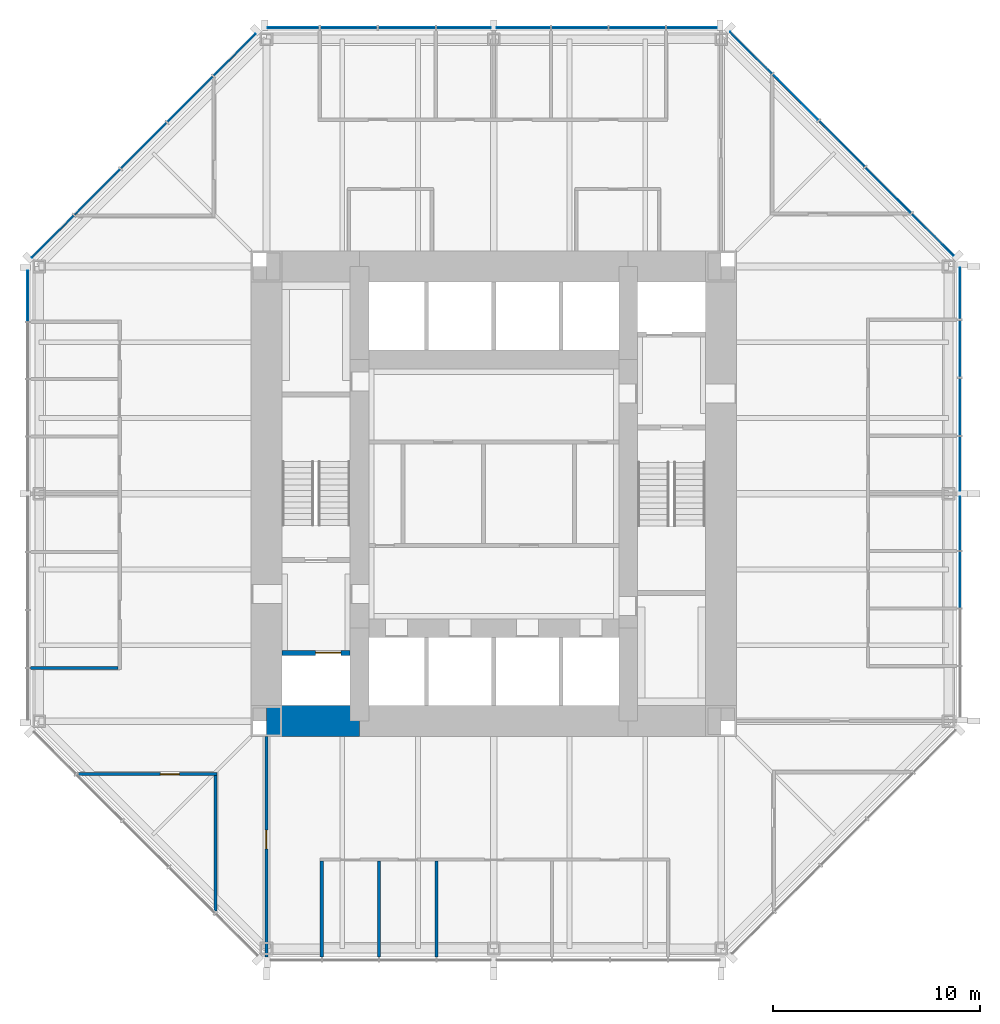
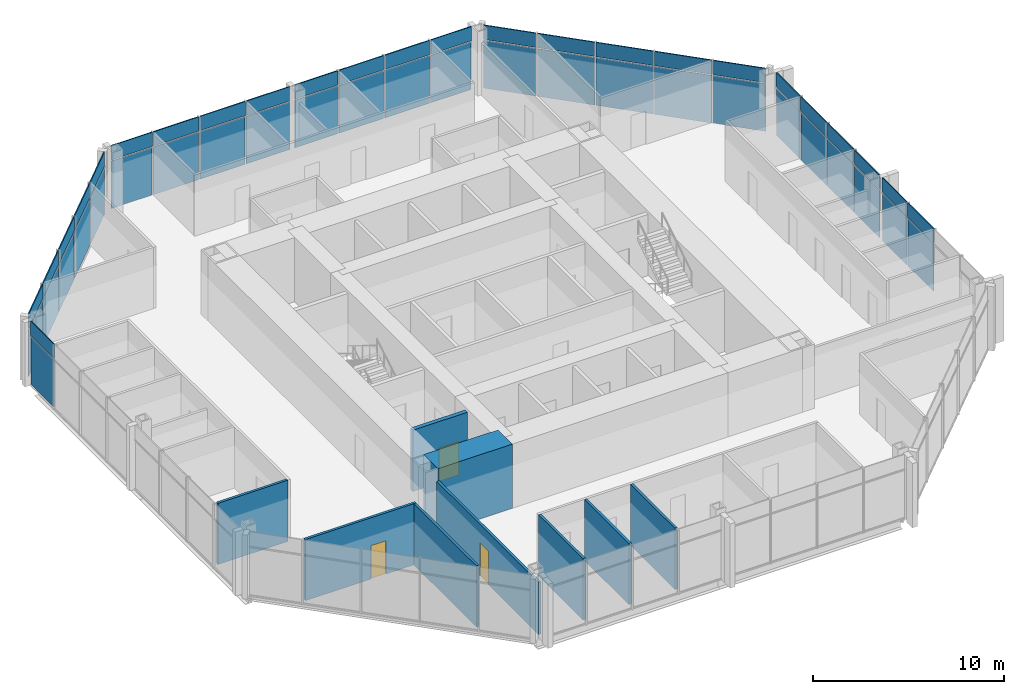
# One storey, part 8 of 12: 50 plates, 9 walls, 3 doors, 3 openings, 5 elements without a shape of their own.
"""IFC4 building model written with IfcOpenShell, lengths in metres."""

from ifc_helpers import new_model, si_unit, direction, frame, frame_2d, origin, origin_2d, place, context, subcontext, project, spatial, rectangle, extrude, material, layer, layer_set, type_object, element, fill, aggregate, save


model = new_model("IFC4")

# Units and contexts
model_context = context("Model", 3, precision=1e-05, world=origin(), true_north=direction((0.0, 1.0)))
body_context = subcontext(model_context, "Body", "Model", "MODEL_VIEW")
ifc_project = project(units=[si_unit("LENGTHUNIT", "METRE"), si_unit("AREAUNIT", "SQUARE_METRE"), si_unit("VOLUMEUNIT", "CUBIC_METRE"), si_unit("PLANEANGLEUNIT", "RADIAN"), si_unit("MASSUNIT", "GRAM", prefix="KILO")], contexts=[model_context])

# Site, building, storey
site_placement = place(None, origin())
site = spatial("IfcSite", under=ifc_project, at=site_placement, CompositionType="ELEMENT")
building_placement = place(site_placement, origin())
building = spatial("IfcBuilding", under=site, at=building_placement, Name="Trevanion Tower", CompositionType="ELEMENT")
storey_placement = place(building_placement, frame((0.0, 0.0, 166.39990234375)))
storey = spatial("IfcBuildingStorey", under=building, at=storey_placement, Name="L39", CompositionType="ELEMENT", Elevation=166.39990234375)

# Curtain wall, plates
ifc_material_1 = material(Name="Aluminium and glass", Category="aluminium")
curtain_wall_type = type_object("IfcCurtainWallType", Name="CW2 curtain wall", PredefinedType="USERDEFINED", material=ifc_material_1)
curtain_wall_1_placement = place(storey_placement, origin())
curtain_wall_1 = element("IfcCurtainWall", 1, at=curtain_wall_1_placement, inside=storey, type_object=curtain_wall_type, Name="CW2 L39 0", ObjectType="UNITISED CURTAIN WALL", PredefinedType="USERDEFINED")
ifc_material_2 = material(Name="Aluminium spandrel panel", Category="aluminium")
ifc_layer_1 = layer(ifc_material_2, 0.06005859375)
ifc_layer_set_1 = layer_set([ifc_layer_1], Name="CW2 spandrel panel")
plate_type_1 = type_object("IfcPlateType", Name="CW2 spandrel panel", PredefinedType="CURTAIN_PANEL", material=ifc_layer_set_1)
plate_1_placement = place(storey_placement, frame((22.550048828125, -4.16162109375, 2.99755859375), z_axis=(0.0, 0.0, 1.0), x_axis=(0.0, 1.0, 0.0)))
plate_1 = element("IfcPlate", 2, at=plate_1_placement, type_object=plate_type_1, Name="CW2 panel 3.2", PredefinedType="CURTAIN_PANEL", context=body_context, shape_type="SweptSolid", body=[
    extrude(rectangle(XDim=2.699462890625, YDim=0.06005859375, at=origin_2d()), origin(), (0.0, 0.0, 1.0), 0.91259765625),
])
plate_2_placement = place(storey_placement, frame((22.550048828125, -1.443603515625, 2.99755859375), z_axis=(0.0, 0.0, 1.0), x_axis=(0.0, 1.0, 0.0)))
plate_2 = element("IfcPlate", 3, at=plate_2_placement, type_object=plate_type_1, Name="CW2 panel 4.2", PredefinedType="CURTAIN_PANEL", context=body_context, shape_type="SweptSolid", body=[
    extrude(rectangle(XDim=2.5869140625, YDim=0.06005859375, at=origin_2d()), origin(), (0.0, 0.0, 1.0), 0.91259765625),
])
plate_3_placement = place(storey_placement, frame((22.550048828125, 1.459716796875, 2.99755859375), z_axis=(0.0, 0.0, 1.0), x_axis=(0.0, 1.0, 0.0)))
plate_3 = element("IfcPlate", 4, at=plate_3_placement, type_object=plate_type_1, Name="CW2 panel 5.2", PredefinedType="CURTAIN_PANEL", context=body_context, shape_type="SweptSolid", body=[
    extrude(rectangle(XDim=2.619384765625, YDim=0.06005859375, at=origin_2d()), origin(), (0.0, 0.0, 1.0), 0.91259765625),
])
plate_4_placement = place(storey_placement, frame((22.550048828125, 4.21044921875, 2.99755859375), z_axis=(0.0, 0.0, 1.0), x_axis=(0.0, 1.0, 0.0)))
plate_4 = element("IfcPlate", 5, at=plate_4_placement, type_object=plate_type_1, Name="CW2 panel 6.2", PredefinedType="CURTAIN_PANEL", context=body_context, shape_type="SweptSolid", body=[
    extrude(rectangle(XDim=2.73193359375, YDim=0.06005859375, at=origin_2d()), origin(), (0.0, 0.0, 1.0), 0.91259765625),
])
plate_5_placement = place(storey_placement, frame((22.550048828125, 7.017333984375, 2.99755859375), z_axis=(0.0, 0.0, 1.0), x_axis=(0.0, 1.0, 0.0)))
plate_5 = element("IfcPlate", 6, at=plate_5_placement, type_object=plate_type_1, Name="CW2 panel 7.2", PredefinedType="CURTAIN_PANEL", context=body_context, shape_type="SweptSolid", body=[
    extrude(rectangle(XDim=2.73193359375, YDim=0.06005859375, at=origin_2d()), origin(), (0.0, 0.0, 1.0), 0.91259765625),
])
plate_6_placement = place(storey_placement, frame((22.550048828125, 9.693115234375, 2.99755859375), z_axis=(0.0, 0.0, 1.0), x_axis=(0.0, 1.0, 0.0)))
plate_6 = element("IfcPlate", 7, at=plate_6_placement, type_object=plate_type_1, Name="CW2 panel 8.2", PredefinedType="CURTAIN_PANEL", context=body_context, shape_type="SweptSolid", body=[
    extrude(rectangle(XDim=2.469482421875, YDim=0.06005859375, at=origin_2d()), origin(), (0.0, 0.0, 1.0), 0.91259765625),
])

curtain_wall_2_placement = place(storey_placement, origin())
curtain_wall_2 = element("IfcCurtainWall", 8, at=curtain_wall_2_placement, inside=storey, type_object=curtain_wall_type, Name="CW2 L39 1", ObjectType="UNITISED CURTAIN WALL", PredefinedType="USERDEFINED")
plate_7_placement = place(storey_placement, frame((21.2421875, 12.53564453125, 2.99755859375), z_axis=(0.0, 0.0, 1.0), x_axis=(-0.707106781187, 0.707106781187, 0.0)))
plate_7 = element("IfcPlate", 9, at=plate_7_placement, type_object=plate_type_1, Name="CW2 panel 1.2", PredefinedType="CURTAIN_PANEL", context=body_context, shape_type="SweptSolid", body=[
    extrude(rectangle(XDim=2.8388671875, YDim=0.06005859375, at=origin_2d()), origin(), (0.0, 0.0, 1.0), 0.91259765625),
])
plate_8_placement = place(storey_placement, frame((19.089111328125, 14.688720703125, 2.99755859375), z_axis=(0.0, 0.0, 1.0), x_axis=(-0.707106781187, 0.707106781187, 0.0)))
plate_8 = element("IfcPlate", 10, at=plate_8_placement, type_object=plate_type_1, Name="CW2 panel 2.2", PredefinedType="CURTAIN_PANEL", context=body_context, shape_type="SweptSolid", body=[
    extrude(rectangle(XDim=3.101318359375, YDim=0.06005859375, at=origin_2d()), origin(), (0.0, 0.0, 1.0), 0.91259765625),
])
plate_9_placement = place(storey_placement, frame((16.843017578125, 16.934814453125, 2.99755859375), z_axis=(0.0, 0.0, 1.0), x_axis=(-0.707106781187, 0.707106781187, 0.0)))
plate_9 = element("IfcPlate", 11, at=plate_9_placement, type_object=plate_type_1, Name="CW2 panel 3.2", PredefinedType="CURTAIN_PANEL", context=body_context, shape_type="SweptSolid", body=[
    extrude(rectangle(XDim=3.101318359375, YDim=0.06005859375, at=origin_2d()), origin(), (0.0, 0.0, 1.0), 0.91259765625),
])
plate_10_placement = place(storey_placement, frame((14.596923828125, 19.180908203125, 2.99755859375), z_axis=(0.0, 0.0, 1.0), x_axis=(-0.707106781187, 0.707106781187, 0.0)))
plate_10 = element("IfcPlate", 12, at=plate_10_placement, type_object=plate_type_1, Name="CW2 panel 4.2", PredefinedType="CURTAIN_PANEL", context=body_context, shape_type="SweptSolid", body=[
    extrude(rectangle(XDim=3.101318359375, YDim=0.06005859375, at=origin_2d()), origin(), (0.0, 0.0, 1.0), 0.91259765625),
])
plate_11_placement = place(storey_placement, frame((12.443603515625, 21.334228515625, 2.99755859375), z_axis=(0.0, 0.0, 1.0), x_axis=(-0.707106781187, 0.707106781187, 0.0)))
plate_11 = element("IfcPlate", 13, at=plate_11_placement, type_object=plate_type_1, Name="CW2 panel 5.2", PredefinedType="CURTAIN_PANEL", context=body_context, shape_type="SweptSolid", body=[
    extrude(rectangle(XDim=2.8388671875, YDim=0.06005859375, at=origin_2d()), origin(), (0.0, 0.0, 1.0), 0.91259765625),
])

curtain_wall_3_placement = place(storey_placement, origin())
curtain_wall_3 = element("IfcCurtainWall", 14, at=curtain_wall_3_placement, inside=storey, type_object=curtain_wall_type, Name="CW2 L39 2", ObjectType="UNITISED CURTAIN WALL", PredefinedType="USERDEFINED")
plate_12_placement = place(storey_placement, frame((9.579345703125, 22.550048828125, 2.99755859375), z_axis=(0.0, 0.0, 1.0), x_axis=(-1.0, 0.0, 0.0)))
plate_12 = element("IfcPlate", 15, at=plate_12_placement, type_object=plate_type_1, Name="CW2 panel 1.2", PredefinedType="CURTAIN_PANEL", context=body_context, shape_type="SweptSolid", body=[
    extrude(rectangle(XDim=2.43701171875, YDim=0.06005859375, at=origin_2d()), origin(), (0.0, 0.0, 1.0), 0.91259765625),
])
plate_13_placement = place(storey_placement, frame((6.93603515625, 22.550048828125, 2.99755859375), z_axis=(0.0, 0.0, 1.0), x_axis=(-1.0, 0.0, 0.0)))
plate_13 = element("IfcPlate", 16, at=plate_13_placement, type_object=plate_type_1, Name="CW2 panel 2.2", PredefinedType="CURTAIN_PANEL", context=body_context, shape_type="SweptSolid", body=[
    extrude(rectangle(XDim=2.699462890625, YDim=0.06005859375, at=origin_2d()), origin(), (0.0, 0.0, 1.0), 0.91259765625),
])
plate_14_placement = place(storey_placement, frame((4.16162109375, 22.550048828125, 2.99755859375), z_axis=(0.0, 0.0, 1.0), x_axis=(-1.0, 0.0, 0.0)))
plate_14 = element("IfcPlate", 17, at=plate_14_placement, type_object=plate_type_1, Name="CW2 panel 3.2", PredefinedType="CURTAIN_PANEL", context=body_context, shape_type="SweptSolid", body=[
    extrude(rectangle(XDim=2.699462890625, YDim=0.06005859375, at=origin_2d()), origin(), (0.0, 0.0, 1.0), 0.91259765625),
])
plate_15_placement = place(storey_placement, frame((1.443603515625, 22.550048828125, 2.99755859375), z_axis=(0.0, 0.0, 1.0), x_axis=(-1.0, 0.0, 0.0)))
plate_15 = element("IfcPlate", 18, at=plate_15_placement, type_object=plate_type_1, Name="CW2 panel 4.2", PredefinedType="CURTAIN_PANEL", context=body_context, shape_type="SweptSolid", body=[
    extrude(rectangle(XDim=2.5869140625, YDim=0.06005859375, at=origin_2d()), origin(), (0.0, 0.0, 1.0), 0.91259765625),
])
plate_16_placement = place(storey_placement, frame((-1.459716796875, 22.550048828125, 2.99755859375), z_axis=(0.0, 0.0, 1.0), x_axis=(-1.0, 0.0, 0.0)))
plate_16 = element("IfcPlate", 19, at=plate_16_placement, type_object=plate_type_1, Name="CW2 panel 5.2", PredefinedType="CURTAIN_PANEL", context=body_context, shape_type="SweptSolid", body=[
    extrude(rectangle(XDim=2.619384765625, YDim=0.06005859375, at=origin_2d()), origin(), (0.0, 0.0, 1.0), 0.91259765625),
])
plate_17_placement = place(storey_placement, frame((-4.21044921875, 22.550048828125, 2.99755859375), z_axis=(0.0, 0.0, 1.0), x_axis=(-1.0, 0.0, 0.0)))
plate_17 = element("IfcPlate", 20, at=plate_17_placement, type_object=plate_type_1, Name="CW2 panel 6.2", PredefinedType="CURTAIN_PANEL", context=body_context, shape_type="SweptSolid", body=[
    extrude(rectangle(XDim=2.73193359375, YDim=0.06005859375, at=origin_2d()), origin(), (0.0, 0.0, 1.0), 0.91259765625),
])
plate_18_placement = place(storey_placement, frame((-7.017333984375, 22.550048828125, 2.99755859375), z_axis=(0.0, 0.0, 1.0), x_axis=(-1.0, 0.0, 0.0)))
plate_18 = element("IfcPlate", 21, at=plate_18_placement, type_object=plate_type_1, Name="CW2 panel 7.2", PredefinedType="CURTAIN_PANEL", context=body_context, shape_type="SweptSolid", body=[
    extrude(rectangle(XDim=2.73193359375, YDim=0.06005859375, at=origin_2d()), origin(), (0.0, 0.0, 1.0), 0.91259765625),
])
plate_19_placement = place(storey_placement, frame((-9.693115234375, 22.550048828125, 2.99755859375), z_axis=(0.0, 0.0, 1.0), x_axis=(-1.0, 0.0, 0.0)))
plate_19 = element("IfcPlate", 22, at=plate_19_placement, type_object=plate_type_1, Name="CW2 panel 8.2", PredefinedType="CURTAIN_PANEL", context=body_context, shape_type="SweptSolid", body=[
    extrude(rectangle(XDim=2.469482421875, YDim=0.06005859375, at=origin_2d()), origin(), (0.0, 0.0, 1.0), 0.91259765625),
])

curtain_wall_4_placement = place(storey_placement, origin())
curtain_wall_4 = element("IfcCurtainWall", 23, at=curtain_wall_4_placement, inside=storey, type_object=curtain_wall_type, Name="CW2 L39 3", ObjectType="UNITISED CURTAIN WALL", PredefinedType="USERDEFINED")
plate_20_placement = place(storey_placement, frame((-12.53564453125, 21.2421875, 2.99755859375), z_axis=(0.0, 0.0, 1.0), x_axis=(-0.707106781187, -0.707106781187, 0.0)))
plate_20 = element("IfcPlate", 24, at=plate_20_placement, type_object=plate_type_1, Name="CW2 panel 1.2", PredefinedType="CURTAIN_PANEL", context=body_context, shape_type="SweptSolid", body=[
    extrude(rectangle(XDim=2.8388671875, YDim=0.06005859375, at=origin_2d()), origin(), (0.0, 0.0, 1.0), 0.91259765625),
])
plate_21_placement = place(storey_placement, frame((-14.688720703125, 19.089111328125, 2.99755859375), z_axis=(0.0, 0.0, 1.0), x_axis=(-0.707106781187, -0.707106781187, 0.0)))
plate_21 = element("IfcPlate", 25, at=plate_21_placement, type_object=plate_type_1, Name="CW2 panel 2.2", PredefinedType="CURTAIN_PANEL", context=body_context, shape_type="SweptSolid", body=[
    extrude(rectangle(XDim=3.101318359375, YDim=0.06005859375, at=origin_2d()), origin(), (0.0, 0.0, 1.0), 0.91259765625),
])
plate_22_placement = place(storey_placement, frame((-16.934814453125, 16.843017578125, 2.99755859375), z_axis=(0.0, 0.0, 1.0), x_axis=(-0.707106781187, -0.707106781187, 0.0)))
plate_22 = element("IfcPlate", 26, at=plate_22_placement, type_object=plate_type_1, Name="CW2 panel 3.2", PredefinedType="CURTAIN_PANEL", context=body_context, shape_type="SweptSolid", body=[
    extrude(rectangle(XDim=3.101318359375, YDim=0.06005859375, at=origin_2d()), origin(), (0.0, 0.0, 1.0), 0.91259765625),
])
plate_23_placement = place(storey_placement, frame((-19.180908203125, 14.596923828125, 2.99755859375), z_axis=(0.0, 0.0, 1.0), x_axis=(-0.707106781187, -0.707106781187, 0.0)))
plate_23 = element("IfcPlate", 27, at=plate_23_placement, type_object=plate_type_1, Name="CW2 panel 4.2", PredefinedType="CURTAIN_PANEL", context=body_context, shape_type="SweptSolid", body=[
    extrude(rectangle(XDim=3.101318359375, YDim=0.06005859375, at=origin_2d()), origin(), (0.0, 0.0, 1.0), 0.91259765625),
])
plate_24_placement = place(storey_placement, frame((-21.334228515625, 12.443603515625, 2.99755859375), z_axis=(0.0, 0.0, 1.0), x_axis=(-0.707106781187, -0.707106781187, 0.0)))
plate_24 = element("IfcPlate", 28, at=plate_24_placement, type_object=plate_type_1, Name="CW2 panel 5.2", PredefinedType="CURTAIN_PANEL", context=body_context, shape_type="SweptSolid", body=[
    extrude(rectangle(XDim=2.8388671875, YDim=0.06005859375, at=origin_2d()), origin(), (0.0, 0.0, 1.0), 0.91259765625),
])

# Curtain wall, plate
curtain_wall_5_placement = place(storey_placement, origin())
curtain_wall_5 = element("IfcCurtainWall", 29, at=curtain_wall_5_placement, inside=storey, type_object=curtain_wall_type, Name="CW2 L39 4", ObjectType="UNITISED CURTAIN WALL", PredefinedType="USERDEFINED")
plate_25_placement = place(storey_placement, frame((-22.550048828125, 9.579345703125, 2.99755859375), z_axis=(0.0, 0.0, 1.0), x_axis=(0.0, -1.0, 0.0)))
plate_25 = element("IfcPlate", 30, at=plate_25_placement, type_object=plate_type_1, Name="CW2 panel 1.2", PredefinedType="CURTAIN_PANEL", context=body_context, shape_type="SweptSolid", body=[
    extrude(rectangle(XDim=2.43701171875, YDim=0.06005859375, at=origin_2d()), origin(), (0.0, 0.0, 1.0), 0.91259765625),
])

# Plate
ifc_material_3 = material(Name="Insulating glass unit", Category="glass")
ifc_layer_2 = layer(ifc_material_3, 0.028076171875)
ifc_layer_set_2 = layer_set([ifc_layer_2], Name="CW2 vision panel")
plate_type_2 = type_object("IfcPlateType", Name="CW2 vision panel", PredefinedType="CURTAIN_PANEL", material=ifc_layer_set_2)
plate_26_placement = place(storey_placement, frame((22.550048828125, -4.16162109375, -0.114990234375), z_axis=(0.0, 0.0, 1.0), x_axis=(0.0, 1.0, 0.0)))
plate_26 = element("IfcPlate", 31, at=plate_26_placement, type_object=plate_type_2, Name="CW2 panel 3.1", PredefinedType="CURTAIN_PANEL", context=body_context, shape_type="SweptSolid", body=[
    extrude(rectangle(XDim=2.699462890625, YDim=0.028076171875, at=origin_2d()), origin(), (0.0, 0.0, 1.0), 3.03759765625),
])

plate_27_placement = place(storey_placement, frame((22.550048828125, -1.443603515625, -0.114990234375), z_axis=(0.0, 0.0, 1.0), x_axis=(0.0, 1.0, 0.0)))
plate_27 = element("IfcPlate", 32, at=plate_27_placement, type_object=plate_type_2, Name="CW2 panel 4.1", PredefinedType="CURTAIN_PANEL", context=body_context, shape_type="SweptSolid", body=[
    extrude(rectangle(XDim=2.5869140625, YDim=0.028076171875, at=origin_2d()), origin(), (0.0, 0.0, 1.0), 3.03759765625),
])

plate_28_placement = place(storey_placement, frame((22.550048828125, 1.459716796875, -0.114990234375), z_axis=(0.0, 0.0, 1.0), x_axis=(0.0, 1.0, 0.0)))
plate_28 = element("IfcPlate", 33, at=plate_28_placement, type_object=plate_type_2, Name="CW2 panel 5.1", PredefinedType="CURTAIN_PANEL", context=body_context, shape_type="SweptSolid", body=[
    extrude(rectangle(XDim=2.619384765625, YDim=0.028076171875, at=origin_2d()), origin(), (0.0, 0.0, 1.0), 3.03759765625),
])

plate_29_placement = place(storey_placement, frame((22.550048828125, 4.21044921875, -0.114990234375), z_axis=(0.0, 0.0, 1.0), x_axis=(0.0, 1.0, 0.0)))
plate_29 = element("IfcPlate", 34, at=plate_29_placement, type_object=plate_type_2, Name="CW2 panel 6.1", PredefinedType="CURTAIN_PANEL", context=body_context, shape_type="SweptSolid", body=[
    extrude(rectangle(XDim=2.73193359375, YDim=0.028076171875, at=origin_2d()), origin(), (0.0, 0.0, 1.0), 3.03759765625),
])

plate_30_placement = place(storey_placement, frame((22.550048828125, 7.017333984375, -0.114990234375), z_axis=(0.0, 0.0, 1.0), x_axis=(0.0, 1.0, 0.0)))
plate_30 = element("IfcPlate", 35, at=plate_30_placement, type_object=plate_type_2, Name="CW2 panel 7.1", PredefinedType="CURTAIN_PANEL", context=body_context, shape_type="SweptSolid", body=[
    extrude(rectangle(XDim=2.73193359375, YDim=0.028076171875, at=origin_2d()), origin(), (0.0, 0.0, 1.0), 3.03759765625),
])

plate_31_placement = place(storey_placement, frame((22.550048828125, 9.693115234375, -0.114990234375), z_axis=(0.0, 0.0, 1.0), x_axis=(0.0, 1.0, 0.0)))
plate_31 = element("IfcPlate", 36, at=plate_31_placement, type_object=plate_type_2, Name="CW2 panel 8.1", PredefinedType="CURTAIN_PANEL", context=body_context, shape_type="SweptSolid", body=[
    extrude(rectangle(XDim=2.469482421875, YDim=0.028076171875, at=origin_2d()), origin(), (0.0, 0.0, 1.0), 3.03759765625),
])

aggregate(curtain_wall_1, [plate_26, plate_1, plate_27, plate_2, plate_28, plate_3, plate_29, plate_4, plate_30, plate_5, plate_31, plate_6])

plate_32_placement = place(storey_placement, frame((21.2421875, 12.53564453125, -0.114990234375), z_axis=(0.0, 0.0, 1.0), x_axis=(-0.707106781187, 0.707106781187, 0.0)))
plate_32 = element("IfcPlate", 37, at=plate_32_placement, type_object=plate_type_2, Name="CW2 panel 1.1", PredefinedType="CURTAIN_PANEL", context=body_context, shape_type="SweptSolid", body=[
    extrude(rectangle(XDim=2.8388671875, YDim=0.028076171875, at=origin_2d()), origin(), (0.0, 0.0, 1.0), 3.03759765625),
])

plate_33_placement = place(storey_placement, frame((19.089111328125, 14.688720703125, -0.114990234375), z_axis=(0.0, 0.0, 1.0), x_axis=(-0.707106781187, 0.707106781187, 0.0)))
plate_33 = element("IfcPlate", 38, at=plate_33_placement, type_object=plate_type_2, Name="CW2 panel 2.1", PredefinedType="CURTAIN_PANEL", context=body_context, shape_type="SweptSolid", body=[
    extrude(rectangle(XDim=3.101318359375, YDim=0.028076171875, at=origin_2d()), origin(), (0.0, 0.0, 1.0), 3.03759765625),
])

plate_34_placement = place(storey_placement, frame((16.843017578125, 16.934814453125, -0.114990234375), z_axis=(0.0, 0.0, 1.0), x_axis=(-0.707106781187, 0.707106781187, 0.0)))
plate_34 = element("IfcPlate", 39, at=plate_34_placement, type_object=plate_type_2, Name="CW2 panel 3.1", PredefinedType="CURTAIN_PANEL", context=body_context, shape_type="SweptSolid", body=[
    extrude(rectangle(XDim=3.101318359375, YDim=0.028076171875, at=origin_2d()), origin(), (0.0, 0.0, 1.0), 3.03759765625),
])

plate_35_placement = place(storey_placement, frame((14.596923828125, 19.180908203125, -0.114990234375), z_axis=(0.0, 0.0, 1.0), x_axis=(-0.707106781187, 0.707106781187, 0.0)))
plate_35 = element("IfcPlate", 40, at=plate_35_placement, type_object=plate_type_2, Name="CW2 panel 4.1", PredefinedType="CURTAIN_PANEL", context=body_context, shape_type="SweptSolid", body=[
    extrude(rectangle(XDim=3.101318359375, YDim=0.028076171875, at=origin_2d()), origin(), (0.0, 0.0, 1.0), 3.03759765625),
])

plate_36_placement = place(storey_placement, frame((12.443603515625, 21.334228515625, -0.114990234375), z_axis=(0.0, 0.0, 1.0), x_axis=(-0.707106781187, 0.707106781187, 0.0)))
plate_36 = element("IfcPlate", 41, at=plate_36_placement, type_object=plate_type_2, Name="CW2 panel 5.1", PredefinedType="CURTAIN_PANEL", context=body_context, shape_type="SweptSolid", body=[
    extrude(rectangle(XDim=2.8388671875, YDim=0.028076171875, at=origin_2d()), origin(), (0.0, 0.0, 1.0), 3.03759765625),
])

aggregate(curtain_wall_2, [plate_32, plate_7, plate_33, plate_8, plate_34, plate_9, plate_35, plate_10, plate_36, plate_11])

plate_37_placement = place(storey_placement, frame((9.579345703125, 22.550048828125, -0.114990234375), z_axis=(0.0, 0.0, 1.0), x_axis=(-1.0, 0.0, 0.0)))
plate_37 = element("IfcPlate", 42, at=plate_37_placement, type_object=plate_type_2, Name="CW2 panel 1.1", PredefinedType="CURTAIN_PANEL", context=body_context, shape_type="SweptSolid", body=[
    extrude(rectangle(XDim=2.43701171875, YDim=0.028076171875, at=origin_2d()), origin(), (0.0, 0.0, 1.0), 3.03759765625),
])

plate_38_placement = place(storey_placement, frame((6.93603515625, 22.550048828125, -0.114990234375), z_axis=(0.0, 0.0, 1.0), x_axis=(-1.0, 0.0, 0.0)))
plate_38 = element("IfcPlate", 43, at=plate_38_placement, type_object=plate_type_2, Name="CW2 panel 2.1", PredefinedType="CURTAIN_PANEL", context=body_context, shape_type="SweptSolid", body=[
    extrude(rectangle(XDim=2.699462890625, YDim=0.028076171875, at=origin_2d()), origin(), (0.0, 0.0, 1.0), 3.03759765625),
])

plate_39_placement = place(storey_placement, frame((4.16162109375, 22.550048828125, -0.114990234375), z_axis=(0.0, 0.0, 1.0), x_axis=(-1.0, 0.0, 0.0)))
plate_39 = element("IfcPlate", 44, at=plate_39_placement, type_object=plate_type_2, Name="CW2 panel 3.1", PredefinedType="CURTAIN_PANEL", context=body_context, shape_type="SweptSolid", body=[
    extrude(rectangle(XDim=2.699462890625, YDim=0.028076171875, at=origin_2d()), origin(), (0.0, 0.0, 1.0), 3.03759765625),
])

plate_40_placement = place(storey_placement, frame((1.443603515625, 22.550048828125, -0.114990234375), z_axis=(0.0, 0.0, 1.0), x_axis=(-1.0, 0.0, 0.0)))
plate_40 = element("IfcPlate", 45, at=plate_40_placement, type_object=plate_type_2, Name="CW2 panel 4.1", PredefinedType="CURTAIN_PANEL", context=body_context, shape_type="SweptSolid", body=[
    extrude(rectangle(XDim=2.5869140625, YDim=0.028076171875, at=origin_2d()), origin(), (0.0, 0.0, 1.0), 3.03759765625),
])

plate_41_placement = place(storey_placement, frame((-1.459716796875, 22.550048828125, -0.114990234375), z_axis=(0.0, 0.0, 1.0), x_axis=(-1.0, 0.0, 0.0)))
plate_41 = element("IfcPlate", 46, at=plate_41_placement, type_object=plate_type_2, Name="CW2 panel 5.1", PredefinedType="CURTAIN_PANEL", context=body_context, shape_type="SweptSolid", body=[
    extrude(rectangle(XDim=2.619384765625, YDim=0.028076171875, at=origin_2d()), origin(), (0.0, 0.0, 1.0), 3.03759765625),
])

plate_42_placement = place(storey_placement, frame((-4.21044921875, 22.550048828125, -0.114990234375), z_axis=(0.0, 0.0, 1.0), x_axis=(-1.0, 0.0, 0.0)))
plate_42 = element("IfcPlate", 47, at=plate_42_placement, type_object=plate_type_2, Name="CW2 panel 6.1", PredefinedType="CURTAIN_PANEL", context=body_context, shape_type="SweptSolid", body=[
    extrude(rectangle(XDim=2.73193359375, YDim=0.028076171875, at=origin_2d()), origin(), (0.0, 0.0, 1.0), 3.03759765625),
])

plate_43_placement = place(storey_placement, frame((-7.017333984375, 22.550048828125, -0.114990234375), z_axis=(0.0, 0.0, 1.0), x_axis=(-1.0, 0.0, 0.0)))
plate_43 = element("IfcPlate", 48, at=plate_43_placement, type_object=plate_type_2, Name="CW2 panel 7.1", PredefinedType="CURTAIN_PANEL", context=body_context, shape_type="SweptSolid", body=[
    extrude(rectangle(XDim=2.73193359375, YDim=0.028076171875, at=origin_2d()), origin(), (0.0, 0.0, 1.0), 3.03759765625),
])

plate_44_placement = place(storey_placement, frame((-9.693115234375, 22.550048828125, -0.114990234375), z_axis=(0.0, 0.0, 1.0), x_axis=(-1.0, 0.0, 0.0)))
plate_44 = element("IfcPlate", 49, at=plate_44_placement, type_object=plate_type_2, Name="CW2 panel 8.1", PredefinedType="CURTAIN_PANEL", context=body_context, shape_type="SweptSolid", body=[
    extrude(rectangle(XDim=2.469482421875, YDim=0.028076171875, at=origin_2d()), origin(), (0.0, 0.0, 1.0), 3.03759765625),
])

aggregate(curtain_wall_3, [plate_37, plate_12, plate_38, plate_13, plate_39, plate_14, plate_40, plate_15, plate_41, plate_16, plate_42, plate_17, plate_43, plate_18, plate_44, plate_19])

plate_45_placement = place(storey_placement, frame((-12.53564453125, 21.2421875, -0.114990234375), z_axis=(0.0, 0.0, 1.0), x_axis=(-0.707106781187, -0.707106781187, 0.0)))
plate_45 = element("IfcPlate", 50, at=plate_45_placement, type_object=plate_type_2, Name="CW2 panel 1.1", PredefinedType="CURTAIN_PANEL", context=body_context, shape_type="SweptSolid", body=[
    extrude(rectangle(XDim=2.8388671875, YDim=0.028076171875, at=origin_2d()), origin(), (0.0, 0.0, 1.0), 3.03759765625),
])

plate_46_placement = place(storey_placement, frame((-14.688720703125, 19.089111328125, -0.114990234375), z_axis=(0.0, 0.0, 1.0), x_axis=(-0.707106781187, -0.707106781187, 0.0)))
plate_46 = element("IfcPlate", 51, at=plate_46_placement, type_object=plate_type_2, Name="CW2 panel 2.1", PredefinedType="CURTAIN_PANEL", context=body_context, shape_type="SweptSolid", body=[
    extrude(rectangle(XDim=3.101318359375, YDim=0.028076171875, at=origin_2d()), origin(), (0.0, 0.0, 1.0), 3.03759765625),
])

plate_47_placement = place(storey_placement, frame((-16.934814453125, 16.843017578125, -0.114990234375), z_axis=(0.0, 0.0, 1.0), x_axis=(-0.707106781187, -0.707106781187, 0.0)))
plate_47 = element("IfcPlate", 52, at=plate_47_placement, type_object=plate_type_2, Name="CW2 panel 3.1", PredefinedType="CURTAIN_PANEL", context=body_context, shape_type="SweptSolid", body=[
    extrude(rectangle(XDim=3.101318359375, YDim=0.028076171875, at=origin_2d()), origin(), (0.0, 0.0, 1.0), 3.03759765625),
])

plate_48_placement = place(storey_placement, frame((-19.180908203125, 14.596923828125, -0.114990234375), z_axis=(0.0, 0.0, 1.0), x_axis=(-0.707106781187, -0.707106781187, 0.0)))
plate_48 = element("IfcPlate", 53, at=plate_48_placement, type_object=plate_type_2, Name="CW2 panel 4.1", PredefinedType="CURTAIN_PANEL", context=body_context, shape_type="SweptSolid", body=[
    extrude(rectangle(XDim=3.101318359375, YDim=0.028076171875, at=origin_2d()), origin(), (0.0, 0.0, 1.0), 3.03759765625),
])

plate_49_placement = place(storey_placement, frame((-21.334228515625, 12.443603515625, -0.114990234375), z_axis=(0.0, 0.0, 1.0), x_axis=(-0.707106781187, -0.707106781187, 0.0)))
plate_49 = element("IfcPlate", 54, at=plate_49_placement, type_object=plate_type_2, Name="CW2 panel 5.1", PredefinedType="CURTAIN_PANEL", context=body_context, shape_type="SweptSolid", body=[
    extrude(rectangle(XDim=2.8388671875, YDim=0.028076171875, at=origin_2d()), origin(), (0.0, 0.0, 1.0), 3.03759765625),
])

aggregate(curtain_wall_4, [plate_45, plate_20, plate_46, plate_21, plate_47, plate_22, plate_48, plate_23, plate_49, plate_24])

plate_50_placement = place(storey_placement, frame((-22.550048828125, 9.579345703125, -0.114990234375), z_axis=(0.0, 0.0, 1.0), x_axis=(0.0, -1.0, 0.0)))
plate_50 = element("IfcPlate", 55, at=plate_50_placement, type_object=plate_type_2, Name="CW2 panel 1.1", PredefinedType="CURTAIN_PANEL", context=body_context, shape_type="SweptSolid", body=[
    extrude(rectangle(XDim=2.43701171875, YDim=0.028076171875, at=origin_2d()), origin(), (0.0, 0.0, 1.0), 3.03759765625),
])

aggregate(curtain_wall_5, [plate_50, plate_25])

# Wall
ifc_material_4 = material(Name="Concrete 10,000 psi", Category="concrete")
ifc_layer_3 = layer(ifc_material_4, 1.5)
ifc_layer_set_3 = layer_set([ifc_layer_3], Name="CW1 core wall 1500")
wall_type_1 = type_object("IfcWallType", Name="CW1 core wall 1500", PredefinedType="SHEAR", material=ifc_layer_set_3)
wall_1_placement = place(storey_placement, frame((-11.0, -11.0, 0.0), z_axis=(0.0, 0.0, 1.0), x_axis=(1.0, 0.0, 0.0)))
element("IfcWall", 56, at=wall_1_placement, inside=storey, type_object=wall_type_1, Name="CW1 CS1 L39", PredefinedType="SHEAR", context=body_context, shape_type="SweptSolid", body=[
    extrude(rectangle(XDim=4.5, YDim=1.5, at=frame_2d((2.25, 0.0))), origin(), (0.0, 0.0, 1.0), 4.10009765625),
])

# Wall, opening, door
ifc_material_5 = material(Name="Gypsum board on steel studs", Category="steel")
ifc_layer_4 = layer(ifc_material_5, 0.14990234375)
ifc_layer_set_4 = layer_set([ifc_layer_4], Name="PT1 partition 150")
wall_type_2 = type_object("IfcWallType", Name="PT1 partition 150", PredefinedType="PARTITIONING", material=ifc_layer_set_4)
wall_2_placement = place(storey_placement, frame((-11.0, -11.75, 0.0), z_axis=(0.0, 0.0, 1.0), x_axis=(0.0, -1.0, 0.0)))
wall_2 = element("IfcWall", 57, at=wall_2_placement, inside=storey, type_object=wall_type_2, Name="PT1 L39 ZW2", PredefinedType="PARTITIONING", context=body_context, shape_type="SweptSolid", body=[
    extrude(rectangle(XDim=10.6650390625, YDim=0.14990234375, at=frame_2d((5.33251953125, 0.0))), origin(), (0.0, 0.0, 1.0), 3.325927734375),
])
opening_1_placement = place(wall_2_placement, frame((4.517578125, 0.0, 0.0)))
opening_1 = element("IfcOpeningElement", 58, at=opening_1_placement, cuts=wall_2, Name="Opening 39-020", PredefinedType="OPENING", context=body_context, shape_type="SweptSolid", body=[
    extrude(rectangle(XDim=0.9150390625, YDim=2.134033203125, at=frame_2d((0.45751953125, 1.06689453125))), frame((0.0, 0.0849609375, 0.0), z_axis=(0.0, -1.0, 0.0), x_axis=(1.0, 0.0, 0.0)), (0.0, 0.0, 1.0), 0.169921875),
])
ifc_material_6 = material(Name="Timber veneer, solid core", Category="wood")
door_type_1 = type_object("IfcDoorType", Name="D1 office and meeting room door", OperationType="SINGLE_SWING_LEFT", PredefinedType="DOOR", material=ifc_material_6)
door_1_placement = place(opening_1_placement, origin())
door_1 = element("IfcDoor", 59, at=door_1_placement, inside=storey, type_object=door_type_1, Name="Door 39-020", OperationType="SINGLE_SWING_LEFT", OverallHeight=2.134033203125, OverallWidth=0.9150390625, PredefinedType="DOOR", context=body_context, shape_type="SweptSolid", body=[
    extrude(rectangle(XDim=0.9150390625, YDim=2.134033203125, at=frame_2d((0.45751953125, 1.06689453125))), frame((0.0, 0.02490234375, 0.0), z_axis=(0.0, -1.0, 0.0), x_axis=(1.0, 0.0, 0.0)), (0.0, 0.0, 1.0), 0.050048828125),
])
fill(opening_1, door_1)

wall_3_placement = place(storey_placement, frame((-13.39892578125, -13.56591796875, 0.0), z_axis=(0.0, 0.0, 1.0), x_axis=(-1.0, 0.0, 0.0)))
wall_3 = element("IfcWall", 60, at=wall_3_placement, inside=storey, type_object=wall_type_2, Name="PT1 L39 KW2a", PredefinedType="PARTITIONING", context=body_context, shape_type="SweptSolid", body=[
    extrude(rectangle(XDim=6.697998046875, YDim=0.14990234375, at=frame_2d((3.34912109375, 0.0))), origin(), (0.0, 0.0, 1.0), 3.91015625),
])
opening_2_placement = place(wall_3_placement, frame((1.8173828125, 0.0, 0.0)))
opening_2 = element("IfcOpeningElement", 61, at=opening_2_placement, cuts=wall_3, Name="Opening 39-024", PredefinedType="OPENING", context=body_context, shape_type="SweptSolid", body=[
    extrude(rectangle(XDim=0.9150390625, YDim=2.134033203125, at=frame_2d((0.45751953125, 1.06689453125))), frame((0.0, 0.0849609375, 0.0), z_axis=(0.0, -1.0, 0.0), x_axis=(1.0, 0.0, 0.0)), (0.0, 0.0, 1.0), 0.169921875),
])
door_2_placement = place(opening_2_placement, origin())
door_2 = element("IfcDoor", 62, at=door_2_placement, inside=storey, type_object=door_type_1, Name="Door 39-024", OperationType="SINGLE_SWING_LEFT", OverallHeight=2.134033203125, OverallWidth=0.9150390625, PredefinedType="DOOR", context=body_context, shape_type="SweptSolid", body=[
    extrude(rectangle(XDim=0.9150390625, YDim=2.134033203125, at=frame_2d((0.45751953125, 1.06689453125))), frame((0.0, 0.02490234375, 0.0), z_axis=(0.0, -1.0, 0.0), x_axis=(1.0, 0.0, 0.0)), (0.0, 0.0, 1.0), 0.050048828125),
])
fill(opening_2, door_2)

# Walls
wall_4_placement = place(storey_placement, frame((-13.47412109375, -13.64111328125, 0.0), z_axis=(0.0, 0.0, 1.0), x_axis=(0.0, -1.0, 0.0)))
element("IfcWall", 63, at=wall_4_placement, inside=storey, type_object=wall_type_2, Name="PT1 L39 KW2b", PredefinedType="PARTITIONING", context=body_context, shape_type="SweptSolid", body=[
    extrude(rectangle(XDim=6.5478515625, YDim=0.14990234375, at=frame_2d((3.27392578125, 0.0))), origin(), (0.0, 0.0, 1.0), 3.91015625),
])
wall_5_placement = place(storey_placement, frame((-18.175048828125, -8.4208984375, 0.0), z_axis=(0.0, 0.0, 1.0), x_axis=(-1.0, 0.0, 0.0)))
element("IfcWall", 64, at=wall_5_placement, inside=storey, type_object=wall_type_2, Name="PT1 L39 FC2S6", PredefinedType="PARTITIONING", context=body_context, shape_type="SweptSolid", body=[
    extrude(rectangle(XDim=4.239990234375, YDim=0.14990234375, at=frame_2d((2.1201171875, 0.0))), origin(), (0.0, 0.0, 1.0), 3.91015625),
])
for number, where, z_axis, x_axis, name in (
    (65, (-8.322998046875, -17.77490234375, 0.0), (0.0, 0.0, 1.0), (0.0, -1.0, 0.0), "PT1 L39 FC3S0"),
    (66, (-5.549072265625, -17.77490234375, 0.0), (0.0, 0.0, 1.0), (0.0, -1.0, 0.0), "PT1 L39 FC3S1"),
    (67, (-2.77490234375, -17.77490234375, 0.0), (0.0, 0.0, 1.0), (0.0, -1.0, 0.0), "PT1 L39 FC3S2"),
):
    element("IfcWall", number, at=place(storey_placement, frame(where, z_axis=z_axis, x_axis=x_axis)), inside=storey, type_object=wall_type_2, Name=name, PredefinedType="PARTITIONING", context=body_context, shape_type="SweptSolid", body=[
        extrude(rectangle(XDim=4.64013671875, YDim=0.14990234375, at=frame_2d((2.320068359375, 0.0))), origin(), (0.0, 0.0, 1.0), 3.91015625),
    ])

# Wall, opening, door
ifc_material_7 = material(Name="Concrete masonry, grouted, two-hour", Category="masonry")
ifc_layer_5 = layer(ifc_material_7, 0.25)
ifc_layer_set_5 = layer_set([ifc_layer_5], Name="PT3 partition 250 2 HR")
wall_type_3 = type_object("IfcWallType", Name="PT3 partition 250 2 HR", PredefinedType="PARTITIONING", material=ifc_layer_set_5)
wall_6_placement = place(storey_placement, frame((-6.949951171875, -7.699951171875, 0.0), z_axis=(0.0, 0.0, 1.0), x_axis=(-1.0, 0.0, 0.0)))
wall_6 = element("IfcWall", 68, at=wall_6_placement, inside=storey, type_object=wall_type_3, Name="PT3 L39 WP3", PredefinedType="PARTITIONING", context=body_context, shape_type="SweptSolid", body=[
    extrude(rectangle(XDim=3.300048828125, YDim=0.25, at=frame_2d((1.64990234375, 0.0))), origin(), (0.0, 0.0, 1.0), 3.91015625),
])
opening_3_placement = place(wall_6_placement, frame((0.449951171875, 0.0, 0.0)))
opening_3 = element("IfcOpeningElement", 69, at=opening_3_placement, cuts=wall_6, Name="Opening 39-008", PredefinedType="OPENING", context=body_context, shape_type="SweptSolid", body=[
    extrude(rectangle(XDim=1.218994140625, YDim=2.134033203125, at=frame_2d((0.609375, 1.06689453125))), frame((0.0, 0.135009765625, 0.0), z_axis=(0.0, -1.0, 0.0), x_axis=(1.0, 0.0, 0.0)), (0.0, 0.0, 1.0), 0.27001953125),
])
ifc_material_8 = material(Name="Stainless steel, fire rated", Category="steel")
door_type_2 = type_object("IfcDoorType", Name="LD2 fire service lift landing door", OperationType="SLIDING_TO_LEFT", PredefinedType="DOOR", material=ifc_material_8)
door_3_placement = place(opening_3_placement, origin())
door_3 = element("IfcDoor", 70, at=door_3_placement, inside=storey, type_object=door_type_2, Name="Door 39-008", OperationType="SLIDING_TO_LEFT", OverallHeight=2.134033203125, OverallWidth=1.218994140625, PredefinedType="DOOR", context=body_context, shape_type="SweptSolid", body=[
    extrude(rectangle(XDim=1.218994140625, YDim=2.134033203125, at=frame_2d((0.609375, 1.06689453125))), frame((0.0, 0.02490234375, 0.0), z_axis=(0.0, -1.0, 0.0), x_axis=(1.0, 0.0, 0.0)), (0.0, 0.0, 1.0), 0.050048828125),
])
fill(opening_3, door_3)

save(model, "model.ifc")
